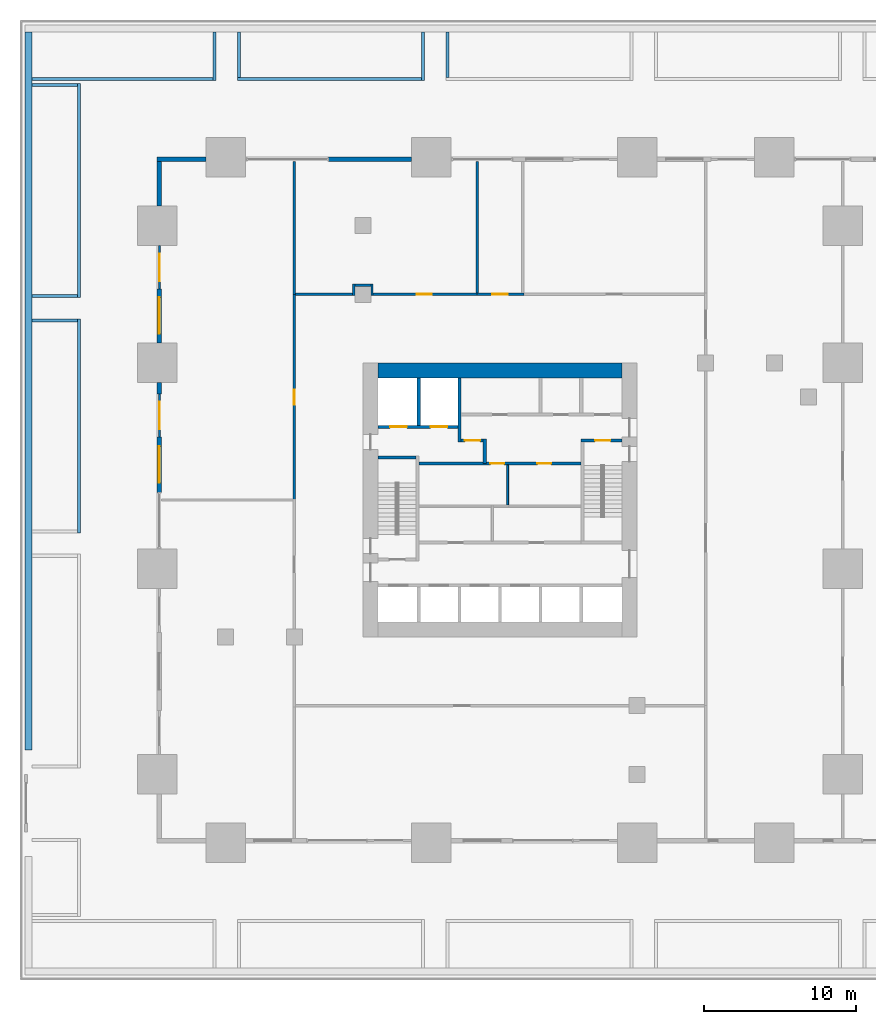
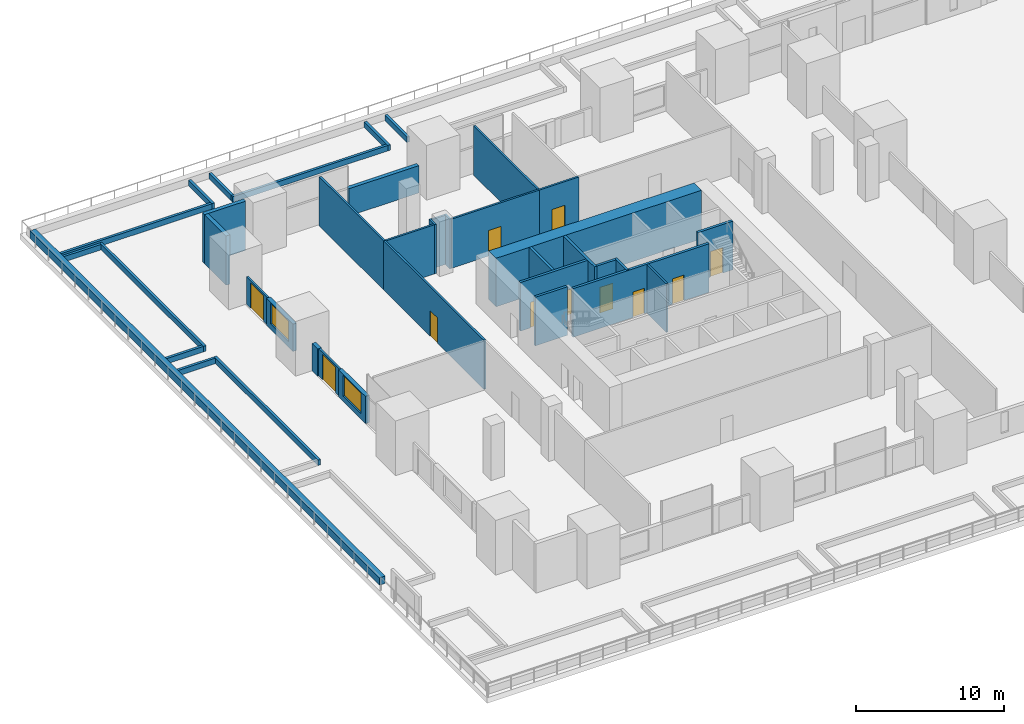
# One storey, part 17 of 26: 39 walls, 11 doors, 2 windows, 13 openings.
"""IFC4 building model written with IfcOpenShell, lengths in metres."""

from ifc_helpers import new_model, si_unit, direction, frame, frame_2d, origin, place, context, subcontext, project, spatial, rectangle, extrude, material, layer, layer_set, type_object, element, fill, save


model = new_model("IFC4")

# Units and contexts
model_context = context("Model", 3, precision=1e-05, world=origin(), true_north=direction((0.0, 1.0)))
body_context = subcontext(model_context, "Body", "Model", "MODEL_VIEW")
ifc_project = project(units=[si_unit("LENGTHUNIT", "METRE"), si_unit("AREAUNIT", "SQUARE_METRE"), si_unit("VOLUMEUNIT", "CUBIC_METRE"), si_unit("PLANEANGLEUNIT", "RADIAN"), si_unit("MASSUNIT", "GRAM", prefix="KILO")], contexts=[model_context])

# Site, building, storey
site_placement = place(None, origin())
site = spatial("IfcSite", under=ifc_project, at=site_placement, CompositionType="ELEMENT")
building_placement = place(site_placement, origin())
building = spatial("IfcBuilding", under=site, at=building_placement, Name="Altepetl Exchange Towers", CompositionType="ELEMENT")
storey_placement = place(building_placement, frame((0.0, 0.0, 16.5)))
storey = spatial("IfcBuildingStorey", under=building, at=storey_placement, Name="L03 Podium terrace", CompositionType="ELEMENT", Elevation=16.5)

# Wall
ifc_material_1 = material(Name="Concrete C70/85", Category="concrete")
ifc_layer_1 = layer(ifc_material_1, 1.0)
ifc_layer_set_1 = layer_set([ifc_layer_1], Name="Concrete C70/85")
wall_type_1 = type_object("IfcWallType", Name="Core wall 1000 reinforced concrete", PredefinedType="SHEAR", material=ifc_layer_set_1)
wall_1_placement = place(storey_placement, frame((41.5, 58.0, 0.0)))
element("IfcWall", 1, at=wall_1_placement, inside=storey, type_object=wall_type_1, Name="wall:A:L03:K-coreN", PredefinedType="SHEAR", context=body_context, shape_type="SweptSolid", body=[
    extrude(rectangle(XDim=16.0, YDim=1.0, at=frame_2d((8.0, 0.0))), origin(), (0.0, 0.0, 1.0), 4.0),
])

# Wall, opening, door
ifc_material_2 = material(Name="Aluminium composite cladding", Category="aluminium")
ifc_layer_2 = layer(ifc_material_2, 0.14990234375)
ifc_layer_set_2 = layer_set([ifc_layer_2], Name="Aluminium composite cladding")
wall_type_2 = type_object("IfcWallType", Name="Infill wall 150 aluminium panel", PredefinedType="SOLIDWALL", material=ifc_layer_set_2)
wall_2_placement = place(storey_placement, frame((27.14990234375, 66.199951171875, 0.0), z_axis=(0.0, 0.0, 1.0), x_axis=(0.0, -1.0, 0.0)))
wall_2 = element("IfcWall", 2, at=wall_2_placement, inside=storey, type_object=wall_type_2, Name="Door bay wall", PredefinedType="SOLIDWALL", context=body_context, shape_type="SweptSolid", body=[
    extrude(rectangle(XDim=2.849853515625, YDim=0.14990234375, at=frame_2d((1.4248046875, 0.0))), origin(), (0.0, 0.0, 1.0), 2.25),
])
opening_1_placement = place(wall_2_placement, frame((0.550048828125, 0.0, 0.0)))
opening_1 = element("IfcOpeningElement", 3, at=opening_1_placement, cuts=wall_2, Name="Opening L03.E07", PredefinedType="OPENING", context=body_context, shape_type="SweptSolid", body=[
    extrude(rectangle(XDim=1.800048828125, YDim=2.10009765625, at=frame_2d((0.89990234375, 1.050048828125))), frame((0.0, 0.0849609375, 0.0), z_axis=(0.0, -1.0, 0.0), x_axis=(1.0, 0.0, 0.0)), (0.0, 0.0, 1.0), 0.169921875),
])
ifc_material_3 = material(Name="Aluminium 6063-T6 and glass", Category="aluminium")
door_type_1 = type_object("IfcDoorType", Name="Glazed door pair 1800x2100", OperationType="DOUBLE_DOOR_DOUBLE_SWING", PredefinedType="NOTDEFINED", material=ifc_material_3)
door_1_placement = place(opening_1_placement, frame((1.800048828125, 0.0, 0.0), x_axis=(-1.0, 0.0, 0.0)))
door_1 = element("IfcDoor", 4, at=door_1_placement, inside=storey, type_object=door_type_1, Name="Terrace door", OperationType="DOUBLE_DOOR_DOUBLE_SWING", OverallHeight=2.10009765625, OverallWidth=1.800048828125, PredefinedType="NOTDEFINED", context=body_context, shape_type="SweptSolid", body=[
    extrude(rectangle(XDim=1.800048828125, YDim=2.10009765625, at=frame_2d((0.89990234375, 1.050048828125))), frame((0.0, 0.02490234375, 0.0), z_axis=(0.0, -1.0, 0.0), x_axis=(1.0, 0.0, 0.0)), (0.0, 0.0, 1.0), 0.050048828125),
])
fill(opening_1, door_1)

wall_3_placement = place(storey_placement, frame((27.14990234375, 56.449951171875, 0.0), z_axis=(0.0, 0.0, 1.0), x_axis=(0.0, -1.0, 0.0)))
wall_3 = element("IfcWall", 5, at=wall_3_placement, inside=storey, type_object=wall_type_2, Name="Door bay wall", PredefinedType="SOLIDWALL", context=body_context, shape_type="SweptSolid", body=[
    extrude(rectangle(XDim=2.800048828125, YDim=0.14990234375, at=frame_2d((1.39990234375, 0.0))), origin(), (0.0, 0.0, 1.0), 2.25),
])
opening_2_placement = place(wall_3_placement, frame((0.5, 0.0, 0.0)))
opening_2 = element("IfcOpeningElement", 6, at=opening_2_placement, cuts=wall_3, Name="Opening L03.E06", PredefinedType="OPENING", context=body_context, shape_type="SweptSolid", body=[
    extrude(rectangle(XDim=1.800048828125, YDim=2.10009765625, at=frame_2d((0.89990234375, 1.050048828125))), frame((0.0, 0.0849609375, 0.0), z_axis=(0.0, -1.0, 0.0), x_axis=(1.0, 0.0, 0.0)), (0.0, 0.0, 1.0), 0.169921875),
])
door_2_placement = place(opening_2_placement, frame((1.800048828125, 0.0, 0.0), x_axis=(-1.0, 0.0, 0.0)))
door_2 = element("IfcDoor", 7, at=door_2_placement, inside=storey, type_object=door_type_1, Name="Terrace door", OperationType="DOUBLE_DOOR_DOUBLE_SWING", OverallHeight=2.10009765625, OverallWidth=1.800048828125, PredefinedType="NOTDEFINED", context=body_context, shape_type="SweptSolid", body=[
    extrude(rectangle(XDim=1.800048828125, YDim=2.10009765625, at=frame_2d((0.89990234375, 1.050048828125))), frame((0.0, 0.02490234375, 0.0), z_axis=(0.0, -1.0, 0.0), x_axis=(1.0, 0.0, 0.0)), (0.0, 0.0, 1.0), 0.050048828125),
])
fill(opening_2, door_2)

# Wall
ifc_material_4 = material(Name="Concrete blockwork", Category="masonry")
ifc_layer_3 = layer(ifc_material_4, 0.199951171875)
ifc_layer_set_3 = layer_set([ifc_layer_3], Name="Concrete blockwork")
wall_type_3 = type_object("IfcWallType", Name="Lobby wall 200 blockwork", PredefinedType="PARTITIONING", material=ifc_layer_set_3)
wall_4_placement = place(storey_placement, frame((48.5, 51.89990234375, 0.0), z_axis=(0.0, 0.0, 1.0), x_axis=(0.0, 1.0, 0.0)))
element("IfcWall", 8, at=wall_4_placement, inside=storey, type_object=wall_type_3, Name="wall:A:L03:K-ffE", PredefinedType="PARTITIONING", context=body_context, shape_type="SweptSolid", body=[
    extrude(rectangle(XDim=1.60009765625, YDim=0.199951171875, at=frame_2d((0.800048828125, 0.0))), origin(), (0.0, 0.0, 1.0), 4.0),
])

# Wall, opening, door
wall_5_placement = place(storey_placement, frame((46.933349609375, 53.39990234375, 0.0)))
wall_5 = element("IfcWall", 9, at=wall_5_placement, inside=storey, type_object=wall_type_3, Name="wall:A:L03:K-ffN", PredefinedType="PARTITIONING", context=body_context, shape_type="SweptSolid", body=[
    extrude(rectangle(XDim=1.466552734375, YDim=0.199951171875, at=frame_2d((0.7333984375, 0.0))), origin(), (0.0, 0.0, 1.0), 4.0),
])
opening_3_placement = place(wall_5_placement, frame((0.2666015625, 0.0, 0.0)))
opening_3 = element("IfcOpeningElement", 10, at=opening_3_placement, cuts=wall_5, Name="Opening L03.A67", PredefinedType="OPENING", context=body_context, shape_type="SweptSolid", body=[
    extrude(rectangle(XDim=1.0, YDim=2.10009765625, at=frame_2d((0.5, 1.050048828125))), frame((0.0, 0.10986328125, 0.0), z_axis=(0.0, -1.0, 0.0), x_axis=(1.0, 0.0, 0.0)), (0.0, 0.0, 1.0), 0.219970703125),
])
ifc_material_5 = material(Name="Steel and timber fire door", Category="steel")
door_type_2 = type_object("IfcDoorType", Name="Fire door 1000 x 2100 stair and lobby", OperationType="SINGLE_SWING_LEFT", PredefinedType="DOOR", material=ifc_material_5)
door_3_placement = place(opening_3_placement, frame((1.0, 0.0, 0.0), x_axis=(-1.0, 0.0, 0.0)))
door_3 = element("IfcDoor", 11, at=door_3_placement, inside=storey, type_object=door_type_2, Name="door:A:L03:K-dffN", OperationType="SINGLE_SWING_RIGHT", OverallHeight=2.10009765625, OverallWidth=1.0, PredefinedType="DOOR", context=body_context, shape_type="SweptSolid", body=[
    extrude(rectangle(XDim=1.0, YDim=2.10009765625, at=frame_2d((0.5, 1.050048828125))), frame((0.0, 0.02490234375, 0.0), z_axis=(0.0, -1.0, 0.0), x_axis=(1.0, 0.0, 0.0)), (0.0, 0.0, 1.0), 0.050048828125),
])
fill(opening_3, door_3)

# Wall, openings, doors
wall_6_placement = place(storey_placement, frame((44.199951171875, 51.89990234375, 0.0)))
wall_6 = element("IfcWall", 12, at=wall_6_placement, inside=storey, type_object=wall_type_3, Name="wall:A:L03:K-zoneN", PredefinedType="PARTITIONING", context=body_context, shape_type="SweptSolid", body=[
    extrude(rectangle(XDim=10.60009765625, YDim=0.199951171875, at=frame_2d((5.300048828125, 0.0))), origin(), (0.0, 0.0, 1.0), 4.0),
])
opening_4_placement = place(wall_6_placement, frame((4.675048828125, 0.0, 0.0)))
opening_4 = element("IfcOpeningElement", 13, at=opening_4_placement, cuts=wall_6, Name="Opening L03.A74", PredefinedType="OPENING", context=body_context, shape_type="SweptSolid", body=[
    extrude(rectangle(XDim=0.89990234375, YDim=2.10009765625, at=frame_2d((0.449951171875, 1.050048828125))), frame((0.0, 0.10986328125, 0.0), z_axis=(0.0, -1.0, 0.0), x_axis=(1.0, 0.0, 0.0)), (0.0, 0.0, 1.0), 0.219970703125),
])
opening_5_placement = place(wall_6_placement, frame((7.75, 0.0, 0.0)))
opening_5 = element("IfcOpeningElement", 14, at=opening_5_placement, cuts=wall_6, Name="Opening L03.A75", PredefinedType="OPENING", context=body_context, shape_type="SweptSolid", body=[
    extrude(rectangle(XDim=0.89990234375, YDim=2.10009765625, at=frame_2d((0.449951171875, 1.050048828125))), frame((0.0, 0.10986328125, 0.0), z_axis=(0.0, -1.0, 0.0), x_axis=(1.0, 0.0, 0.0)), (0.0, 0.0, 1.0), 0.219970703125),
])
door_type_3 = type_object("IfcDoorType", Name="Fire door 900 x 2100 service room", OperationType="SINGLE_SWING_LEFT", PredefinedType="DOOR", material=ifc_material_5)
door_4_placement = place(opening_4_placement, frame((0.89990234375, 0.0, 0.0), x_axis=(-1.0, 0.0, 0.0)))
door_4 = element("IfcDoor", 15, at=door_4_placement, inside=storey, type_object=door_type_3, Name="door:A:L03:K-dz3", OperationType="SINGLE_SWING_LEFT", OverallHeight=2.10009765625, OverallWidth=0.89990234375, PredefinedType="DOOR", context=body_context, shape_type="SweptSolid", body=[
    extrude(rectangle(XDim=0.89990234375, YDim=2.10009765625, at=frame_2d((0.449951171875, 1.050048828125))), frame((0.0, 0.02490234375, 0.0), z_axis=(0.0, -1.0, 0.0), x_axis=(1.0, 0.0, 0.0)), (0.0, 0.0, 1.0), 0.050048828125),
])
fill(opening_4, door_4)
door_5_placement = place(opening_5_placement, frame((0.89990234375, 0.0, 0.0), x_axis=(-1.0, 0.0, 0.0)))
door_5 = element("IfcDoor", 16, at=door_5_placement, inside=storey, type_object=door_type_3, Name="door:A:L03:K-dz4", OperationType="SINGLE_SWING_LEFT", OverallHeight=2.10009765625, OverallWidth=0.89990234375, PredefinedType="DOOR", context=body_context, shape_type="SweptSolid", body=[
    extrude(rectangle(XDim=0.89990234375, YDim=2.10009765625, at=frame_2d((0.449951171875, 1.050048828125))), frame((0.0, 0.02490234375, 0.0), z_axis=(0.0, -1.0, 0.0), x_axis=(1.0, 0.0, 0.0)), (0.0, 0.0, 1.0), 0.050048828125),
])
fill(opening_5, door_5)

# Walls
ifc_material_6 = material(Name="Gypsum board on steel studs", Category="steel")
ifc_layer_4 = layer(ifc_material_6, 0.125)
ifc_layer_set_4 = layer_set([ifc_layer_4], Name="Gypsum board on steel studs")
wall_type_4 = type_object("IfcWallType", Name="Partition 125 gypsum board on steel studs", PredefinedType="PARTITIONING", material=ifc_layer_set_4)
wall_7_placement = place(storey_placement, frame((50.0, 49.16259765625, 0.0), z_axis=(0.0, 0.0, 1.0), x_axis=(0.0, 1.0, 0.0)))
element("IfcWall", 17, at=wall_7_placement, inside=storey, type_object=wall_type_4, Name="wall:A:L03:K-zp5", PredefinedType="PARTITIONING", context=body_context, shape_type="SweptSolid", body=[
    extrude(rectangle(XDim=2.637451171875, YDim=0.125, at=frame_2d((1.31884765625, 0.0))), origin(), (0.0, 0.0, 1.0), 4.0),
])
ifc_material_7 = material(Name="Concrete C30/37", Category="concrete")
ifc_layer_5 = layer(ifc_material_7, 0.449951171875)
ifc_layer_set_5 = layer_set([ifc_layer_5], Name="Concrete C30/37")
wall_type_5 = type_object("IfcWallType", Name="Planter wall 450 concrete", PredefinedType="SOLIDWALL", material=ifc_layer_set_5)
wall_8_placement = place(storey_placement, frame((18.550048828125, 80.22509765625, 0.0), z_axis=(0.0, 0.0, 1.0), x_axis=(0.0, -1.0, 0.0)))
element("IfcWall", 18, at=wall_8_placement, inside=storey, type_object=wall_type_5, Name="Planter bed wall", PredefinedType="SOLIDWALL", context=body_context, shape_type="SweptSolid", body=[
    extrude(rectangle(XDim=47.132568359375, YDim=0.449951171875, at=frame_2d((23.56640625, 0.0))), origin(), (0.0, 0.0, 1.0), 0.60009765625),
])
ifc_material_8 = material(Name="Reinforced concrete C35/45", Category="concrete")
ifc_layer_6 = layer(ifc_material_8, 0.199951171875)
ifc_layer_set_6 = layer_set([ifc_layer_6], Name="Reinforced concrete C35/45")
wall_type_6 = type_object("IfcWallType", Name="Planting bed curb 200", PredefinedType="SOLIDWALL", material=ifc_layer_set_6)
wall_9_placement = place(storey_placement, frame((30.762451171875, 77.02490234375, 0.0), z_axis=(0.0, 0.0, 1.0), x_axis=(0.0, 1.0, 0.0)))
element("IfcWall", 19, at=wall_9_placement, inside=storey, type_object=wall_type_6, Name="wall:P:L03:CB13e", PredefinedType="SOLIDWALL", context=body_context, shape_type="SweptSolid", body=[
    extrude(rectangle(XDim=3.2001953125, YDim=0.199951171875, at=frame_2d((1.60009765625, 0.0))), origin(), (0.0, 0.0, 1.0), 0.449951171875),
])
wall_10_placement = place(storey_placement, frame((18.77490234375, 77.125, 0.0)))
element("IfcWall", 20, at=wall_10_placement, inside=storey, type_object=wall_type_6, Name="wall:P:L03:CB13s", PredefinedType="SOLIDWALL", context=body_context, shape_type="SweptSolid", body=[
    extrude(rectangle(XDim=11.8876953125, YDim=0.199951171875, at=frame_2d((5.94384765625, 0.0))), origin(), (0.0, 0.0, 1.0), 0.449951171875),
])
wall_11_placement = place(storey_placement, frame((44.449951171875, 77.02490234375, 0.0), z_axis=(0.0, 0.0, 1.0), x_axis=(0.0, 1.0, 0.0)))
element("IfcWall", 21, at=wall_11_placement, inside=storey, type_object=wall_type_6, Name="wall:P:L03:CB14e", PredefinedType="SOLIDWALL", context=body_context, shape_type="SweptSolid", body=[
    extrude(rectangle(XDim=3.2001953125, YDim=0.199951171875, at=frame_2d((1.60009765625, 0.0))), origin(), (0.0, 0.0, 1.0), 0.449951171875),
])
wall_12_placement = place(storey_placement, frame((32.262451171875, 77.125, 0.0)))
element("IfcWall", 22, at=wall_12_placement, inside=storey, type_object=wall_type_6, Name="wall:P:L03:CB14s", PredefinedType="SOLIDWALL", context=body_context, shape_type="SweptSolid", body=[
    extrude(rectangle(XDim=12.087646484375, YDim=0.199951171875, at=frame_2d((6.0439453125, 0.0))), origin(), (0.0, 0.0, 1.0), 0.449951171875),
])
for number, where, z_axis, x_axis, name in (
    (23, (32.362548828125, 77.22509765625, 0.0), (0.0, 0.0, 1.0), (0.0, 1.0, 0.0), "wall:P:L03:CB14w"),
    (24, (46.050048828125, 77.22509765625, 0.0), (0.0, 0.0, 1.0), (0.0, 1.0, 0.0), "wall:P:L03:CB15w"),
):
    element("IfcWall", number, at=place(storey_placement, frame(where, z_axis=z_axis, x_axis=x_axis)), inside=storey, type_object=wall_type_6, Name=name, PredefinedType="SOLIDWALL", context=body_context, shape_type="SweptSolid", body=[
        extrude(rectangle(XDim=3.0, YDim=0.199951171875, at=frame_2d((1.5, 0.0))), origin(), (0.0, 0.0, 1.0), 0.449951171875),
    ])
wall_13_placement = place(storey_placement, frame((21.875, 47.341796875, 0.0), z_axis=(0.0, 0.0, 1.0), x_axis=(0.0, 1.0, 0.0)))
element("IfcWall", 25, at=wall_13_placement, inside=storey, type_object=wall_type_6, Name="wall:P:L03:CB21e", PredefinedType="SOLIDWALL", context=body_context, shape_type="SweptSolid", body=[
    extrude(rectangle(XDim=14.04150390625, YDim=0.199951171875, at=frame_2d((7.020751953125, 0.0))), origin(), (0.0, 0.0, 1.0), 0.449951171875),
])
wall_14_placement = place(storey_placement, frame((18.77490234375, 61.283203125, 0.0)))
element("IfcWall", 26, at=wall_14_placement, inside=storey, type_object=wall_type_6, Name="wall:P:L03:CB21n", PredefinedType="SOLIDWALL", context=body_context, shape_type="SweptSolid", body=[
    extrude(rectangle(XDim=3.0, YDim=0.199951171875, at=frame_2d((1.5, 0.0))), origin(), (0.0, 0.0, 1.0), 0.449951171875),
])
wall_15_placement = place(storey_placement, frame((21.875, 62.783203125, 0.0), z_axis=(0.0, 0.0, 1.0), x_axis=(0.0, 1.0, 0.0)))
element("IfcWall", 27, at=wall_15_placement, inside=storey, type_object=wall_type_6, Name="wall:P:L03:CB22e", PredefinedType="SOLIDWALL", context=body_context, shape_type="SweptSolid", body=[
    extrude(rectangle(XDim=14.041748046875, YDim=0.199951171875, at=frame_2d((7.02099609375, 0.0))), origin(), (0.0, 0.0, 1.0), 0.449951171875),
])
for number, where, name in (
    (28, (18.77490234375, 76.72509765625, 0.0), "wall:P:L03:CB22n"),
    (29, (18.77490234375, 62.88330078125, 0.0), "wall:P:L03:CB22s"),
):
    element("IfcWall", number, at=place(storey_placement, frame(where)), inside=storey, type_object=wall_type_6, Name=name, PredefinedType="SOLIDWALL", context=body_context, shape_type="SweptSolid", body=[
        extrude(rectangle(XDim=3.0, YDim=0.199951171875, at=frame_2d((1.5, 0.0))), origin(), (0.0, 0.0, 1.0), 0.449951171875),
    ])

# Wall, opening, door
ifc_layer_7 = layer(ifc_material_6, 0.14990234375)
ifc_layer_set_7 = layer_set([ifc_layer_7], Name="Gypsum board on steel studs")
wall_type_7 = type_object("IfcWallType", Name="Podium partition 150", PredefinedType="PARTITIONING", material=ifc_layer_set_7)
wall_16_placement = place(storey_placement, frame((36.0, 49.5, 0.0), z_axis=(0.0, 0.0, 1.0), x_axis=(0.0, 1.0, 0.0)))
wall_16 = element("IfcWall", 30, at=wall_16_placement, inside=storey, type_object=wall_type_7, Name="wall:P:L03:P018", PredefinedType="PARTITIONING", context=body_context, shape_type="SweptSolid", body=[
    extrude(rectangle(XDim=13.574951171875, YDim=0.14990234375, at=frame_2d((6.78759765625, 0.0))), origin(), (0.0, 0.0, 1.0), 4.050048828125),
])
opening_6_placement = place(wall_16_placement, frame((6.25, 0.0, 0.0)))
opening_6 = element("IfcOpeningElement", 31, at=opening_6_placement, cuts=wall_16, Name="Opening L03.P002", PredefinedType="OPENING", context=body_context, shape_type="SweptSolid", body=[
    extrude(rectangle(XDim=1.0, YDim=2.10009765625, at=frame_2d((0.5, 1.050048828125))), frame((0.0, 0.0849609375, 0.0), z_axis=(0.0, -1.0, 0.0), x_axis=(1.0, 0.0, 0.0)), (0.0, 0.0, 1.0), 0.169921875),
])
door_type_4 = type_object("IfcDoorType", Name="Podium fire door 1000 x 2100 single leaf", OperationType="SINGLE_SWING_LEFT", PredefinedType="DOOR", material=ifc_material_5)
door_6_placement = place(opening_6_placement, origin())
door_6 = element("IfcDoor", 32, at=door_6_placement, inside=storey, type_object=door_type_4, Name="door:P:L03:002", OperationType="SINGLE_SWING_RIGHT", OverallHeight=2.10009765625, OverallWidth=1.0, PredefinedType="DOOR", context=body_context, shape_type="SweptSolid", body=[
    extrude(rectangle(XDim=1.0, YDim=2.10009765625, at=frame_2d((0.5, 1.050048828125))), frame((0.0, 0.02490234375, 0.0), z_axis=(0.0, -1.0, 0.0), x_axis=(1.0, 0.0, 0.0)), (0.0, 0.0, 1.0), 0.050048828125),
])
fill(opening_6, door_6)

# Walls
for number, where, z_axis, x_axis, name in (
    (33, (39.89990234375, 62.925048828125, 0.0), (0.0, 0.0, 1.0), (0.0, 1.0, 0.0), "wall:P:L03:P021"),
    (34, (41.10009765625, 62.925048828125, 0.0), (0.0, 0.0, 1.0), (0.0, 1.0, 0.0), "wall:P:L03:P022"),
):
    element("IfcWall", number, at=place(storey_placement, frame(where, z_axis=z_axis, x_axis=x_axis)), inside=storey, type_object=wall_type_7, Name=name, PredefinedType="PARTITIONING", context=body_context, shape_type="SweptSolid", body=[
        extrude(rectangle(XDim=0.75, YDim=0.14990234375, at=frame_2d((0.375, 0.0))), origin(), (0.0, 0.0, 1.0), 4.050048828125),
    ])
wall_17_placement = place(storey_placement, frame((36.074951171875, 63.0, 0.0)))
element("IfcWall", 35, at=wall_17_placement, inside=storey, type_object=wall_type_7, Name="wall:P:L03:P023", PredefinedType="PARTITIONING", context=body_context, shape_type="SweptSolid", body=[
    extrude(rectangle(XDim=3.75, YDim=0.14990234375, at=frame_2d((1.875, 0.0))), origin(), (0.0, 0.0, 1.0), 4.050048828125),
])

# Wall, opening, door
wall_18_placement = place(storey_placement, frame((41.175048828125, 63.0, 0.0)))
wall_18 = element("IfcWall", 36, at=wall_18_placement, inside=storey, type_object=wall_type_7, Name="wall:P:L03:P024", PredefinedType="PARTITIONING", context=body_context, shape_type="SweptSolid", body=[
    extrude(rectangle(XDim=6.89990234375, YDim=0.14990234375, at=frame_2d((3.449951171875, 0.0))), origin(), (0.0, 0.0, 1.0), 4.050048828125),
])
opening_7_placement = place(wall_18_placement, frame((2.85009765625, 0.0, 0.0)))
opening_7 = element("IfcOpeningElement", 37, at=opening_7_placement, cuts=wall_18, Name="Opening L03.P004", PredefinedType="OPENING", context=body_context, shape_type="SweptSolid", body=[
    extrude(rectangle(XDim=1.0, YDim=2.10009765625, at=frame_2d((0.5, 1.050048828125))), frame((0.0, 0.0849609375, 0.0), z_axis=(0.0, -1.0, 0.0), x_axis=(1.0, 0.0, 0.0)), (0.0, 0.0, 1.0), 0.169921875),
])
door_7_placement = place(opening_7_placement, origin())
door_7 = element("IfcDoor", 38, at=door_7_placement, inside=storey, type_object=door_type_4, Name="door:P:L03:004", OperationType="SINGLE_SWING_LEFT", OverallHeight=2.10009765625, OverallWidth=1.0, PredefinedType="DOOR", context=body_context, shape_type="SweptSolid", body=[
    extrude(rectangle(XDim=1.0, YDim=2.10009765625, at=frame_2d((0.5, 1.050048828125))), frame((0.0, 0.02490234375, 0.0), z_axis=(0.0, -1.0, 0.0), x_axis=(1.0, 0.0, 0.0)), (0.0, 0.0, 1.0), 0.050048828125),
])
fill(opening_7, door_7)

# Wall
wall_19_placement = place(storey_placement, frame((39.97509765625, 63.60009765625, 0.0)))
element("IfcWall", 39, at=wall_19_placement, inside=storey, type_object=wall_type_7, Name="wall:P:L03:P025", PredefinedType="PARTITIONING", context=body_context, shape_type="SweptSolid", body=[
    extrude(rectangle(XDim=1.0498046875, YDim=0.14990234375, at=frame_2d((0.52490234375, 0.0))), origin(), (0.0, 0.0, 1.0), 4.050048828125),
])

# Wall, opening, door
wall_20_placement = place(storey_placement, frame((48.0, 63.0, 0.0)))
wall_20 = element("IfcWall", 40, at=wall_20_placement, inside=storey, type_object=wall_type_7, Name="wall:P:L03:P026", PredefinedType="PARTITIONING", context=body_context, shape_type="SweptSolid", body=[
    extrude(rectangle(XDim=3.074951171875, YDim=0.14990234375, at=frame_2d((1.53759765625, 0.0))), origin(), (0.0, 0.0, 1.0), 4.050048828125),
])
opening_8_placement = place(wall_20_placement, frame((1.0, 0.0, 0.0)))
opening_8 = element("IfcOpeningElement", 41, at=opening_8_placement, cuts=wall_20, Name="Opening L03.P005", PredefinedType="OPENING", context=body_context, shape_type="SweptSolid", body=[
    extrude(rectangle(XDim=1.0, YDim=2.10009765625, at=frame_2d((0.5, 1.050048828125))), frame((0.0, 0.0849609375, 0.0), z_axis=(0.0, -1.0, 0.0), x_axis=(1.0, 0.0, 0.0)), (0.0, 0.0, 1.0), 0.169921875),
])
door_8_placement = place(opening_8_placement, origin())
door_8 = element("IfcDoor", 42, at=door_8_placement, inside=storey, type_object=door_type_4, Name="door:P:L03:005", OperationType="SINGLE_SWING_RIGHT", OverallHeight=2.10009765625, OverallWidth=1.0, PredefinedType="DOOR", context=body_context, shape_type="SweptSolid", body=[
    extrude(rectangle(XDim=1.0, YDim=2.10009765625, at=frame_2d((0.5, 1.050048828125))), frame((0.0, 0.02490234375, 0.0), z_axis=(0.0, -1.0, 0.0), x_axis=(1.0, 0.0, 0.0)), (0.0, 0.0, 1.0), 0.050048828125),
])
fill(opening_8, door_8)

# Walls
wall_21_placement = place(storey_placement, frame((36.0, 63.0, 0.0), z_axis=(0.0, 0.0, 1.0), x_axis=(0.0, 1.0, 0.0)))
element("IfcWall", 43, at=wall_21_placement, inside=storey, type_object=wall_type_7, Name="wall:P:L03:P030", PredefinedType="PARTITIONING", context=body_context, shape_type="SweptSolid", body=[
    extrude(rectangle(XDim=8.699951171875, YDim=0.14990234375, at=frame_2d((4.35009765625, 0.0))), origin(), (0.0, 0.0, 1.0), 4.050048828125),
])
wall_22_placement = place(storey_placement, frame((48.0, 63.074951171875, 0.0), z_axis=(0.0, 0.0, 1.0), x_axis=(0.0, 1.0, 0.0)))
element("IfcWall", 44, at=wall_22_placement, inside=storey, type_object=wall_type_7, Name="wall:P:L03:P031", PredefinedType="PARTITIONING", context=body_context, shape_type="SweptSolid", body=[
    extrude(rectangle(XDim=8.625, YDim=0.14990234375, at=frame_2d((4.3125, 0.0))), origin(), (0.0, 0.0, 1.0), 4.050048828125),
])
ifc_material_9 = material(Name="Concrete C40/50", Category="concrete")
ifc_layer_8 = layer(ifc_material_9, 0.199951171875)
ifc_layer_set_8 = layer_set([ifc_layer_8], Name="Concrete C40/50")
wall_type_8 = type_object("IfcWallType", Name="Shaft wall 200 reinforced concrete", PredefinedType="SHEAR", material=ifc_layer_set_8)
wall_23_placement = place(storey_placement, frame((44.166748046875, 57.5, 0.0), z_axis=(0.0, 0.0, 1.0), x_axis=(0.0, -1.0, 0.0)))
element("IfcWall", 45, at=wall_23_placement, inside=storey, type_object=wall_type_8, Name="wall:A:L03:K-divN1", PredefinedType="SHEAR", context=body_context, shape_type="SweptSolid", body=[
    extrude(rectangle(XDim=3.10009765625, YDim=0.199951171875, at=frame_2d((1.550048828125, 0.0))), origin(), (0.0, 0.0, 1.0), 4.0),
])
wall_24_placement = place(storey_placement, frame((46.833251953125, 57.5, 0.0), z_axis=(0.0, 0.0, 1.0), x_axis=(0.0, -1.0, 0.0)))
element("IfcWall", 46, at=wall_24_placement, inside=storey, type_object=wall_type_8, Name="wall:A:L03:K-divN2", PredefinedType="SHEAR", context=body_context, shape_type="SweptSolid", body=[
    extrude(rectangle(XDim=4.199951171875, YDim=0.199951171875, at=frame_2d((2.10009765625, 0.0))), origin(), (0.0, 0.0, 1.0), 4.0),
])

# Wall, openings, doors
wall_25_placement = place(storey_placement, frame((41.5, 54.300048828125, 0.0)))
wall_25 = element("IfcWall", 47, at=wall_25_placement, inside=storey, type_object=wall_type_8, Name="wall:A:L03:K-frontNd", PredefinedType="SHEAR", context=body_context, shape_type="SweptSolid", body=[
    extrude(rectangle(XDim=5.2333984375, YDim=0.199951171875, at=frame_2d((2.61669921875, 0.0))), origin(), (0.0, 0.0, 1.0), 4.0),
])
opening_9_placement = place(wall_25_placement, frame((0.783203125, 0.0, 0.0)))
opening_9 = element("IfcOpeningElement", 48, at=opening_9_placement, cuts=wall_25, Name="Opening L03.A76", PredefinedType="OPENING", context=body_context, shape_type="SweptSolid", body=[
    extrude(rectangle(XDim=1.10009765625, YDim=2.10009765625, at=frame_2d((0.550048828125, 1.050048828125))), frame((0.0, 0.10986328125, 0.0), z_axis=(0.0, -1.0, 0.0), x_axis=(1.0, 0.0, 0.0)), (0.0, 0.0, 1.0), 0.219970703125),
])
opening_10_placement = place(wall_25_placement, frame((3.449951171875, 0.0, 0.0)))
opening_10 = element("IfcOpeningElement", 49, at=opening_10_placement, cuts=wall_25, Name="Opening L03.A77", PredefinedType="OPENING", context=body_context, shape_type="SweptSolid", body=[
    extrude(rectangle(XDim=1.10009765625, YDim=2.10009765625, at=frame_2d((0.550048828125, 1.050048828125))), frame((0.0, 0.10986328125, 0.0), z_axis=(0.0, -1.0, 0.0), x_axis=(1.0, 0.0, 0.0)), (0.0, 0.0, 1.0), 0.219970703125),
])
ifc_material_10 = material(Name="Stainless steel", Category="steel")
door_type_5 = type_object("IfcDoorType", Name="Lift landing door 1100 x 2100", OperationType="SLIDING_TO_LEFT", PredefinedType="DOOR", material=ifc_material_10)
door_9_placement = place(opening_9_placement, origin())
door_9 = element("IfcDoor", 50, at=door_9_placement, inside=storey, type_object=door_type_5, Name="Landing door FFL1", OperationType="SLIDING_TO_LEFT", OverallHeight=2.10009765625, OverallWidth=1.10009765625, PredefinedType="DOOR", context=body_context, shape_type="SweptSolid", body=[
    extrude(rectangle(XDim=1.10009765625, YDim=2.10009765625, at=frame_2d((0.550048828125, 1.050048828125))), frame((0.0, 0.02490234375, 0.0), z_axis=(0.0, -1.0, 0.0), x_axis=(1.0, 0.0, 0.0)), (0.0, 0.0, 1.0), 0.050048828125),
])
fill(opening_9, door_9)
door_10_placement = place(opening_10_placement, origin())
door_10 = element("IfcDoor", 51, at=door_10_placement, inside=storey, type_object=door_type_5, Name="Landing door FFL2", OperationType="SLIDING_TO_LEFT", OverallHeight=2.10009765625, OverallWidth=1.10009765625, PredefinedType="DOOR", context=body_context, shape_type="SweptSolid", body=[
    extrude(rectangle(XDim=1.10009765625, YDim=2.10009765625, at=frame_2d((0.550048828125, 1.050048828125))), frame((0.0, 0.02490234375, 0.0), z_axis=(0.0, -1.0, 0.0), x_axis=(1.0, 0.0, 0.0)), (0.0, 0.0, 1.0), 0.050048828125),
])
fill(opening_10, door_10)

# Wall
ifc_layer_9 = layer(ifc_material_9, 0.199951171875)
ifc_layer_set_9 = layer_set([ifc_layer_9], Name="Concrete C40/50")
wall_type_9 = type_object("IfcWallType", Name="Stair wall 200 reinforced concrete", PredefinedType="SHEAR", material=ifc_layer_set_9)
wall_26_placement = place(storey_placement, frame((41.5, 52.300048828125, 0.0)))
element("IfcWall", 52, at=wall_26_placement, inside=storey, type_object=wall_type_9, Name="wall:A:L03:K-stS1N", PredefinedType="SHEAR", context=body_context, shape_type="SweptSolid", body=[
    extrude(rectangle(XDim=2.5, YDim=0.199951171875, at=frame_2d((1.25, 0.0))), origin(), (0.0, 0.0, 1.0), 4.0),
])

# Wall, opening, door
wall_27_placement = place(storey_placement, frame((54.800048828125, 53.39990234375, 0.0)))
wall_27 = element("IfcWall", 53, at=wall_27_placement, inside=storey, type_object=wall_type_9, Name="wall:A:L03:K-stS2N", PredefinedType="SHEAR", context=body_context, shape_type="SweptSolid", body=[
    extrude(rectangle(XDim=2.699951171875, YDim=0.199951171875, at=frame_2d((1.35009765625, 0.0))), origin(), (0.0, 0.0, 1.0), 4.0),
])
opening_11_placement = place(wall_27_placement, frame((0.949951171875, 0.0, 0.0)))
opening_11 = element("IfcOpeningElement", 54, at=opening_11_placement, cuts=wall_27, Name="Opening L03.A65", PredefinedType="OPENING", context=body_context, shape_type="SweptSolid", body=[
    extrude(rectangle(XDim=1.0, YDim=2.10009765625, at=frame_2d((0.5, 1.050048828125))), frame((0.0, 0.10986328125, 0.0), z_axis=(0.0, -1.0, 0.0), x_axis=(1.0, 0.0, 0.0)), (0.0, 0.0, 1.0), 0.219970703125),
])
door_11_placement = place(opening_11_placement, frame((1.0, 0.0, 0.0), x_axis=(-1.0, 0.0, 0.0)))
door_11 = element("IfcDoor", 55, at=door_11_placement, inside=storey, type_object=door_type_2, Name="door:A:L03:K-dS2in", OperationType="SINGLE_SWING_LEFT", OverallHeight=2.10009765625, OverallWidth=1.0, PredefinedType="DOOR", context=body_context, shape_type="SweptSolid", body=[
    extrude(rectangle(XDim=1.0, YDim=2.10009765625, at=frame_2d((0.5, 1.050048828125))), frame((0.0, 0.02490234375, 0.0), z_axis=(0.0, -1.0, 0.0), x_axis=(1.0, 0.0, 0.0)), (0.0, 0.0, 1.0), 0.050048828125),
])
fill(opening_11, door_11)

# Walls
ifc_material_11 = material(Name="Cantera limestone cladding", Category="masonry")
ifc_layer_10 = layer(ifc_material_11, 0.300048828125)
ifc_layer_set_10 = layer_set([ifc_layer_10], Name="Cantera limestone cladding")
wall_type_10 = type_object("IfcWallType", Name="Stone wall panel 300", PredefinedType="ELEMENTEDWALL", material=ifc_layer_set_10)
wall_28_placement = place(storey_placement, frame((43.699951171875, 71.85009765625, 0.0), z_axis=(0.0, 0.0, 1.0), x_axis=(-1.0, 0.0, 0.0)))
element("IfcWall", 56, at=wall_28_placement, inside=storey, type_object=wall_type_10, Name="Stone wall panel", PredefinedType="ELEMENTEDWALL", context=body_context, shape_type="SweptSolid", body=[
    extrude(rectangle(XDim=5.449951171875, YDim=0.300048828125, at=frame_2d((2.72509765625, 0.0))), origin(), (0.0, 0.0, 1.0), 2.25),
])
wall_29_placement = place(storey_placement, frame((30.199951171875, 71.85009765625, 0.0), z_axis=(0.0, 0.0, 1.0), x_axis=(-1.0, 0.0, 0.0)))
element("IfcWall", 57, at=wall_29_placement, inside=storey, type_object=wall_type_10, Name="Stone wall panel", PredefinedType="ELEMENTEDWALL", context=body_context, shape_type="SweptSolid", body=[
    extrude(rectangle(XDim=3.199951171875, YDim=0.300048828125, at=frame_2d((1.60009765625, 0.0))), origin(), (0.0, 0.0, 1.0), 4.050048828125),
])
wall_30_placement = place(storey_placement, frame((27.14990234375, 71.699951171875, 0.0), z_axis=(0.0, 0.0, 1.0), x_axis=(0.0, -1.0, 0.0)))
element("IfcWall", 58, at=wall_30_placement, inside=storey, type_object=wall_type_10, Name="Stone wall panel", PredefinedType="ELEMENTEDWALL", context=body_context, shape_type="SweptSolid", body=[
    extrude(rectangle(XDim=2.89990234375, YDim=0.300048828125, at=frame_2d((1.449951171875, 0.0))), origin(), (0.0, 0.0, 1.0), 4.050048828125),
])

# Wall, opening, window
wall_31_placement = place(storey_placement, frame((27.14990234375, 63.35009765625, 0.0), z_axis=(0.0, 0.0, 1.0), x_axis=(0.0, -1.0, 0.0)))
wall_31 = element("IfcWall", 59, at=wall_31_placement, inside=storey, type_object=wall_type_10, Name="Stone wall panel", PredefinedType="ELEMENTEDWALL", context=body_context, shape_type="SweptSolid", body=[
    extrude(rectangle(XDim=3.550048828125, YDim=0.300048828125, at=frame_2d((1.77490234375, 0.0))), origin(), (0.0, 0.0, 1.0), 2.25),
])
opening_12_placement = place(wall_31_placement, frame((0.550048828125, 0.0, 0.449951171875)))
opening_12 = element("IfcOpeningElement", 60, at=opening_12_placement, cuts=wall_31, Name="Opening W4", PredefinedType="OPENING", context=body_context, shape_type="SweptSolid", body=[
    extrude(rectangle(XDim=2.39990234375, YDim=1.699951171875, at=frame_2d((1.199951171875, 0.85009765625))), frame((0.0, 0.16015625, 0.0), z_axis=(0.0, -1.0, 0.0), x_axis=(1.0, 0.0, 0.0)), (0.0, 0.0, 1.0), 0.320068359375),
])
window_type = type_object("IfcWindowType", Name="Shopfront window 2400x1700", PartitioningType="SINGLE_PANEL", PredefinedType="WINDOW", material=ifc_material_3)
window_1_placement = place(opening_12_placement, origin())
window_1 = element("IfcWindow", 61, at=window_1_placement, inside=storey, type_object=window_type, Name="Window", OverallHeight=1.699951171875, OverallWidth=2.39990234375, PartitioningType="SINGLE_PANEL", PredefinedType="WINDOW", context=body_context, shape_type="SweptSolid", body=[
    extrude(rectangle(XDim=2.39990234375, YDim=1.699951171875, at=frame_2d((1.199951171875, 0.85009765625))), frame((0.0, 0.030029296875, 0.0), z_axis=(0.0, -1.0, 0.0), x_axis=(1.0, 0.0, 0.0)), (0.0, 0.0, 1.0), 0.06005859375),
])
fill(opening_12, window_1)

# Wall
wall_32_placement = place(storey_placement, frame((27.14990234375, 57.199951171875, 0.0), z_axis=(0.0, 0.0, 1.0), x_axis=(0.0, -1.0, 0.0)))
element("IfcWall", 62, at=wall_32_placement, inside=storey, type_object=wall_type_10, Name="Stone wall panel", PredefinedType="ELEMENTEDWALL", context=body_context, shape_type="SweptSolid", body=[
    extrude(rectangle(XDim=0.75, YDim=0.300048828125, at=frame_2d((0.375, 0.0))), origin(), (0.0, 0.0, 1.0), 2.25),
])

# Wall, opening, window
wall_33_placement = place(storey_placement, frame((27.14990234375, 53.64990234375, 0.0), z_axis=(0.0, 0.0, 1.0), x_axis=(0.0, -1.0, 0.0)))
wall_33 = element("IfcWall", 63, at=wall_33_placement, inside=storey, type_object=wall_type_10, Name="Stone wall panel", PredefinedType="ELEMENTEDWALL", context=body_context, shape_type="SweptSolid", body=[
    extrude(rectangle(XDim=3.64990234375, YDim=0.300048828125, at=frame_2d((1.824951171875, 0.0))), origin(), (0.0, 0.0, 1.0), 2.25),
])
opening_13_placement = place(wall_33_placement, frame((0.625, 0.0, 0.449951171875)))
opening_13 = element("IfcOpeningElement", 64, at=opening_13_placement, cuts=wall_33, Name="Opening W4", PredefinedType="OPENING", context=body_context, shape_type="SweptSolid", body=[
    extrude(rectangle(XDim=2.39990234375, YDim=1.699951171875, at=frame_2d((1.199951171875, 0.85009765625))), frame((0.0, 0.16015625, 0.0), z_axis=(0.0, -1.0, 0.0), x_axis=(1.0, 0.0, 0.0)), (0.0, 0.0, 1.0), 0.320068359375),
])
window_2_placement = place(opening_13_placement, origin())
window_2 = element("IfcWindow", 65, at=window_2_placement, inside=storey, type_object=window_type, Name="Window", OverallHeight=1.699951171875, OverallWidth=2.39990234375, PartitioningType="SINGLE_PANEL", PredefinedType="WINDOW", context=body_context, shape_type="SweptSolid", body=[
    extrude(rectangle(XDim=2.39990234375, YDim=1.699951171875, at=frame_2d((1.199951171875, 0.85009765625))), frame((0.0, 0.030029296875, 0.0), z_axis=(0.0, -1.0, 0.0), x_axis=(1.0, 0.0, 0.0)), (0.0, 0.0, 1.0), 0.06005859375),
])
fill(opening_13, window_2)

save(model, "model.ifc")
